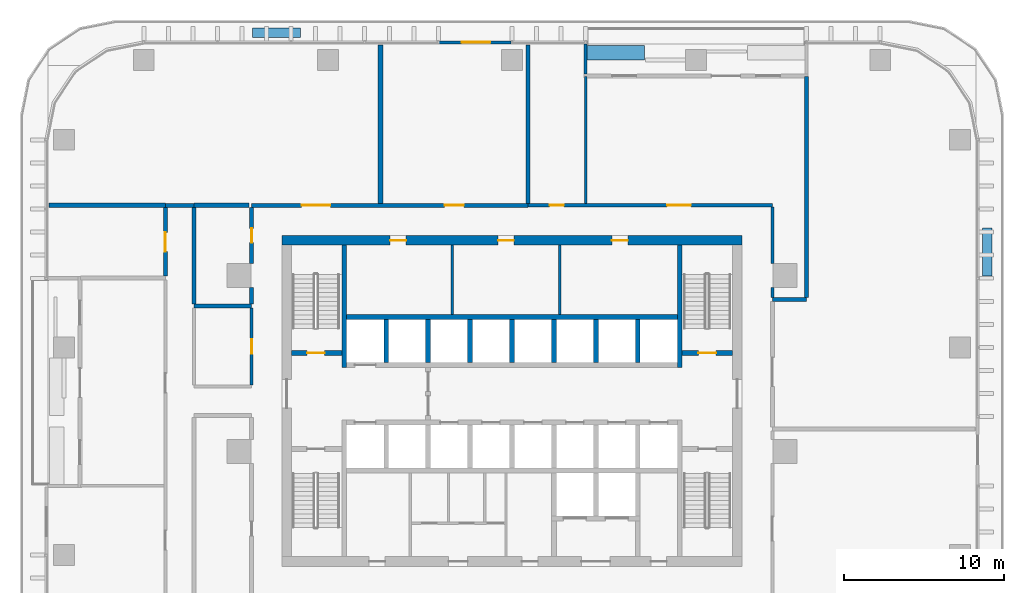
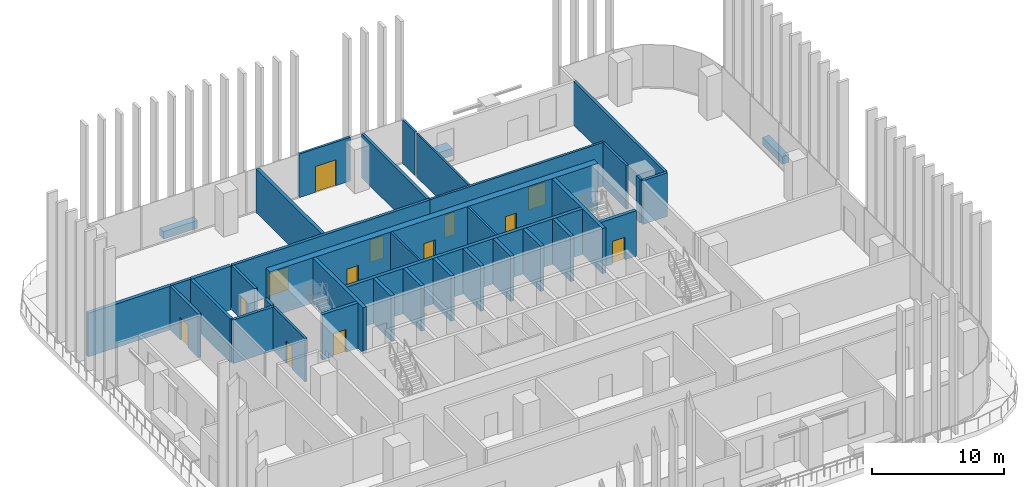
# One storey, part 10 of 18: 38 walls, 13 doors, 13 openings.
"""IFC4 building model written with IfcOpenShell, lengths in metres."""

from ifc_helpers import new_model, si_unit, direction, frame, frame_2d, origin, place, context, subcontext, project, spatial, rectangle, extrude, material, layer, layer_set, type_object, element, fill, save


model = new_model("IFC4")

# Units and contexts
model_context = context("Model", 3, precision=1e-05, world=origin(), true_north=direction((0.0, 1.0)))
body_context = subcontext(model_context, "Body", "Model", "MODEL_VIEW")
ifc_project = project(units=[si_unit("LENGTHUNIT", "METRE"), si_unit("AREAUNIT", "SQUARE_METRE"), si_unit("VOLUMEUNIT", "CUBIC_METRE"), si_unit("PLANEANGLEUNIT", "RADIAN"), si_unit("MASSUNIT", "GRAM", prefix="KILO")], contexts=[model_context])

# Site, building, storey
site_placement = place(None, origin())
site = spatial("IfcSite", under=ifc_project, at=site_placement, CompositionType="ELEMENT")
building_placement = place(site_placement, origin())
building = spatial("IfcBuilding", under=site, at=building_placement, Name="Mopane Tessera Tower", CompositionType="ELEMENT")
storey_placement = place(building_placement, frame((0.0, 0.0, 94.60009765625)))
storey = spatial("IfcBuildingStorey", under=building, at=storey_placement, Name="L18", CompositionType="ELEMENT", Elevation=94.60009765625)

# Walls
ifc_material_1 = material(Name="Fire-rated gypsum board partition")
ifc_layer_1 = layer(ifc_material_1, 0.14990234375)
ifc_layer_set_1 = layer_set([ifc_layer_1], Name="Fire-rated gypsum board partition")
wall_type_1 = type_object("IfcWallType", Name="Core room partition 150 mm", PredefinedType="PARTITIONING", material=ifc_layer_set_1)
for number, where, z_axis, x_axis, name in (
    (1, (-3.75, 8.550048828125, 0.0), (0.0, 0.0, 1.0), (0.0, 1.0, 0.0), "L18 Room partition"),
    (2, (3.0, 8.550048828125, 0.0), (0.0, 0.0, 1.0), (0.0, 1.0, 0.0), "L18 Room partition"),
):
    element("IfcWall", number, at=place(storey_placement, frame(where, z_axis=z_axis, x_axis=x_axis)), inside=storey, type_object=wall_type_1, Name=name, PredefinedType="PARTITIONING", context=body_context, shape_type="SweptSolid", body=[
        extrude(rectangle(XDim=4.349853515625, YDim=0.14990234375, at=frame_2d((2.1748046875, 0.0))), origin(), (0.0, 0.0, 1.0), 4.199951171875),
    ])

# Wall, openings, doors
ifc_material_2 = material(Name="Concrete C70/85", Category="concrete")
ifc_layer_2 = layer(ifc_material_2, 0.60009765625)
ifc_layer_set_2 = layer_set([ifc_layer_2], Name="Concrete C70/85")
wall_type_2 = type_object("IfcWallType", Name="Core shear wall 600 mm", PredefinedType="SHEAR", material=ifc_layer_set_2)
wall_1_placement = place(storey_placement, frame((-14.39990234375, 13.199951171875, 0.0), z_axis=(0.0, 0.0, 1.0), x_axis=(1.0, 0.0, 0.0)))
wall_1 = element("IfcWall", 3, at=wall_1_placement, inside=storey, type_object=wall_type_2, Name="L18 Core wall north", PredefinedType="SHEAR", context=body_context, shape_type="SweptSolid", body=[
    extrude(rectangle(XDim=28.7998046875, YDim=0.60009765625, at=frame_2d((14.39990234375, 0.0))), origin(), (0.0, 0.0, 1.0), 4.199951171875),
])
opening_1_placement = place(wall_1_placement, frame((6.77490234375, 0.0, 0.0)))
opening_1 = element("IfcOpeningElement", 4, at=opening_1_placement, cuts=wall_1, Name="Opening RD1", PredefinedType="OPENING", context=body_context, shape_type="SweptSolid", body=[
    extrude(rectangle(XDim=1.0, YDim=2.10009765625, at=frame_2d((0.5, 1.050048828125))), frame((0.0, 0.31201171875, 0.0), z_axis=(0.0, -1.0, 0.0), x_axis=(1.0, 0.0, 0.0)), (0.0, 0.0, 1.0), 0.6240234375),
])
opening_2_placement = place(wall_1_placement, frame((13.52490234375, 0.0, 0.0)))
opening_2 = element("IfcOpeningElement", 5, at=opening_2_placement, cuts=wall_1, Name="Opening RD1", PredefinedType="OPENING", context=body_context, shape_type="SweptSolid", body=[
    extrude(rectangle(XDim=1.0, YDim=2.10009765625, at=frame_2d((0.5, 1.050048828125))), frame((0.0, 0.31201171875, 0.0), z_axis=(0.0, -1.0, 0.0), x_axis=(1.0, 0.0, 0.0)), (0.0, 0.0, 1.0), 0.6240234375),
])
opening_3_placement = place(wall_1_placement, frame((20.64990234375, 0.0, 0.0)))
opening_3 = element("IfcOpeningElement", 6, at=opening_3_placement, cuts=wall_1, Name="Opening RD1", PredefinedType="OPENING", context=body_context, shape_type="SweptSolid", body=[
    extrude(rectangle(XDim=1.0, YDim=2.10009765625, at=frame_2d((0.5, 1.050048828125))), frame((0.0, 0.31201171875, 0.0), z_axis=(0.0, -1.0, 0.0), x_axis=(1.0, 0.0, 0.0)), (0.0, 0.0, 1.0), 0.6240234375),
])
ifc_material_3 = material(Name="Timber door", Category="wood")
door_type_1 = type_object("IfcDoorType", Name="Core room door 1000 x 2100", OperationType="SINGLE_SWING_LEFT", PredefinedType="DOOR", material=ifc_material_3)
door_1_placement = place(opening_1_placement, origin())
door_1 = element("IfcDoor", 7, at=door_1_placement, inside=storey, type_object=door_type_1, Name="L18 Room door", OperationType="SINGLE_SWING_LEFT", OverallHeight=2.10009765625, OverallWidth=1.0, PredefinedType="DOOR", context=body_context, shape_type="SweptSolid", body=[
    extrude(rectangle(XDim=1.0, YDim=2.10009765625, at=frame_2d((0.5, 1.050048828125))), frame((0.0, 0.02490234375, 0.0), z_axis=(0.0, -1.0, 0.0), x_axis=(1.0, 0.0, 0.0)), (0.0, 0.0, 1.0), 0.050048828125),
])
fill(opening_1, door_1)
door_2_placement = place(opening_2_placement, origin())
door_2 = element("IfcDoor", 8, at=door_2_placement, inside=storey, type_object=door_type_1, Name="L18 Room door", OperationType="SINGLE_SWING_LEFT", OverallHeight=2.10009765625, OverallWidth=1.0, PredefinedType="DOOR", context=body_context, shape_type="SweptSolid", body=[
    extrude(rectangle(XDim=1.0, YDim=2.10009765625, at=frame_2d((0.5, 1.050048828125))), frame((0.0, 0.02490234375, 0.0), z_axis=(0.0, -1.0, 0.0), x_axis=(1.0, 0.0, 0.0)), (0.0, 0.0, 1.0), 0.050048828125),
])
fill(opening_2, door_2)
door_3_placement = place(opening_3_placement, origin())
door_3 = element("IfcDoor", 9, at=door_3_placement, inside=storey, type_object=door_type_1, Name="L18 Room door", OperationType="SINGLE_SWING_LEFT", OverallHeight=2.10009765625, OverallWidth=1.0, PredefinedType="DOOR", context=body_context, shape_type="SweptSolid", body=[
    extrude(rectangle(XDim=1.0, YDim=2.10009765625, at=frame_2d((0.5, 1.050048828125))), frame((0.0, 0.02490234375, 0.0), z_axis=(0.0, -1.0, 0.0), x_axis=(1.0, 0.0, 0.0)), (0.0, 0.0, 1.0), 0.050048828125),
])
fill(opening_3, door_3)

# Walls
ifc_material_4 = material(Name="Concrete C60/75", Category="concrete")
ifc_layer_3 = layer(ifc_material_4, 0.300048828125)
ifc_layer_set_3 = layer_set([ifc_layer_3], Name="Concrete C60/75")
wall_type_3 = type_object("IfcWallType", Name="Core spine wall 300 mm", PredefinedType="SHEAR", material=ifc_layer_set_3)
for number, where, z_axis, x_axis, name in (
    (10, (-10.5, 5.25, 0.0), (0.0, 0.0, 1.0), (0.0, 1.0, 0.0), "L18 Core spine wall"),
    (11, (10.5, 5.25, 0.0), (0.0, 0.0, 1.0), (0.0, 1.0, 0.0), "L18 Core spine wall"),
):
    element("IfcWall", number, at=place(storey_placement, frame(where, z_axis=z_axis, x_axis=x_axis)), inside=storey, type_object=wall_type_3, Name=name, PredefinedType="SHEAR", context=body_context, shape_type="SweptSolid", body=[
        extrude(rectangle(XDim=7.64990234375, YDim=0.300048828125, at=frame_2d((3.824951171875, 0.0))), origin(), (0.0, 0.0, 1.0), 4.199951171875),
    ])

# Wall, openings, doors
ifc_material_5 = material(Name="Gypsum board on steel studs, two layers each face, mineral wool infill", Category="steel")
ifc_layer_4 = layer(ifc_material_5, 0.199951171875)
ifc_layer_set_4 = layer_set([ifc_layer_4], Name="Gypsum board on steel studs, two layers each face, mineral wool infill")
wall_type_4 = type_object("IfcWallType", Name="Gypsum board corridor wall 200, rated EI 60", PredefinedType="PARTITIONING", material=ifc_layer_set_4)
wall_2_placement = place(storey_placement, frame((1.0, 15.39990234375, 0.0), z_axis=(0.0, 0.0, 1.0), x_axis=(1.0, 0.0, 0.0)))
wall_2 = element("IfcWall", 12, at=wall_2_placement, inside=storey, type_object=wall_type_4, Name="Partition L18:019", PredefinedType="PARTITIONING", context=body_context, shape_type="SweptSolid", body=[
    extrude(rectangle(XDim=15.300048828125, YDim=0.199951171875, at=frame_2d((7.64990234375, 0.0))), origin(), (0.0, 0.0, 1.0), 4.0498046875),
])
opening_4_placement = place(wall_2_placement, frame((1.35498046875, 0.0, 0.0)))
opening_4 = element("IfcOpeningElement", 13, at=opening_4_placement, cuts=wall_2, Name="Opening L18-12", PredefinedType="OPENING", context=body_context, shape_type="SweptSolid", body=[
    extrude(rectangle(XDim=0.89990234375, YDim=2.10009765625, at=frame_2d((0.449951171875, 1.050048828125))), frame((0.0, 0.112060546875, 0.0), z_axis=(0.0, -1.0, 0.0), x_axis=(1.0, 0.0, 0.0)), (0.0, 0.0, 1.0), 0.223876953125),
])
opening_5_placement = place(wall_2_placement, frame((8.705078125, 0.0, 0.0)))
opening_5 = element("IfcOpeningElement", 14, at=opening_5_placement, cuts=wall_2, Name="Opening L18-17", PredefinedType="OPENING", context=body_context, shape_type="SweptSolid", body=[
    extrude(rectangle(XDim=1.5, YDim=2.10009765625, at=frame_2d((0.75, 1.050048828125))), frame((0.0, 0.112060546875, 0.0), z_axis=(0.0, -1.0, 0.0), x_axis=(1.0, 0.0, 0.0)), (0.0, 0.0, 1.0), 0.223876953125),
])
ifc_material_6 = material(Name="Timber veneered steel-framed fire door", Category="steel")
door_type_2 = type_object("IfcDoorType", Name="Fire door FD60 900 x 2100", OperationType="SINGLE_SWING_LEFT", PredefinedType="DOOR", material=ifc_material_6)
door_4_placement = place(opening_4_placement, origin())
door_4 = element("IfcDoor", 15, at=door_4_placement, inside=storey, type_object=door_type_2, Name="Door L18-12", ObjectType="D10A", OperationType="SINGLE_SWING_LEFT", OverallHeight=2.10009765625, OverallWidth=0.89990234375, PredefinedType="DOOR", context=body_context, shape_type="SweptSolid", body=[
    extrude(rectangle(XDim=0.89990234375, YDim=2.10009765625, at=frame_2d((0.449951171875, 1.050048828125))), frame((0.0, 0.02490234375, 0.0), z_axis=(0.0, -1.0, 0.0), x_axis=(1.0, 0.0, 0.0)), (0.0, 0.0, 1.0), 0.050048828125),
])
fill(opening_4, door_4)
ifc_material_7 = material(Name="Timber veneered steel-framed fire door", Category="steel")
door_type_3 = type_object("IfcDoorType", Name="Fire door pair FD60 1500 x 2100", OperationType="DOUBLE_DOOR_SINGLE_SWING", PredefinedType="DOOR", material=ifc_material_7)
door_5_placement = place(opening_5_placement, origin())
door_5 = element("IfcDoor", 16, at=door_5_placement, inside=storey, type_object=door_type_3, Name="Door L18-17", ObjectType="D17A", OperationType="DOUBLE_DOOR_SINGLE_SWING", OverallHeight=2.10009765625, OverallWidth=1.5, PredefinedType="DOOR", context=body_context, shape_type="SweptSolid", body=[
    extrude(rectangle(XDim=1.5, YDim=2.10009765625, at=frame_2d((0.75, 1.050048828125))), frame((0.0, 0.02490234375, 0.0), z_axis=(0.0, -1.0, 0.0), x_axis=(1.0, 0.0, 0.0)), (0.0, 0.0, 1.0), 0.050048828125),
])
fill(opening_5, door_5)

# Wall, opening, door
wall_3_placement = place(storey_placement, frame((-16.300048828125, 4.14990234375, 0.0), z_axis=(0.0, 0.0, 1.0), x_axis=(0.0, 1.0, 0.0)))
wall_3 = element("IfcWall", 17, at=wall_3_placement, inside=storey, type_object=wall_type_4, Name="Partition L18:029", PredefinedType="PARTITIONING", context=body_context, shape_type="SweptSolid", body=[
    extrude(rectangle(XDim=4.81005859375, YDim=0.199951171875, at=frame_2d((2.405029296875, 0.0))), origin(), (0.0, 0.0, 1.0), 4.0498046875),
])
opening_6_placement = place(wall_3_placement, frame((1.955078125, 0.0, 0.0)))
opening_6 = element("IfcOpeningElement", 18, at=opening_6_placement, cuts=wall_3, Name="Opening L18-08", PredefinedType="OPENING", context=body_context, shape_type="SweptSolid", body=[
    extrude(rectangle(XDim=0.89990234375, YDim=2.10009765625, at=frame_2d((0.449951171875, 1.050048828125))), frame((0.0, 0.112060546875, 0.0), z_axis=(0.0, -1.0, 0.0), x_axis=(1.0, 0.0, 0.0)), (0.0, 0.0, 1.0), 0.223876953125),
])
door_6_placement = place(opening_6_placement, origin())
door_6 = element("IfcDoor", 19, at=door_6_placement, inside=storey, type_object=door_type_2, Name="Door L18-08", ObjectType="D10A", OperationType="SINGLE_SWING_LEFT", OverallHeight=2.10009765625, OverallWidth=0.89990234375, PredefinedType="DOOR", context=body_context, shape_type="SweptSolid", body=[
    extrude(rectangle(XDim=0.89990234375, YDim=2.10009765625, at=frame_2d((0.449951171875, 1.050048828125))), frame((0.0, 0.02490234375, 0.0), z_axis=(0.0, -1.0, 0.0), x_axis=(1.0, 0.0, 0.0)), (0.0, 0.0, 1.0), 0.050048828125),
])
fill(opening_6, door_6)

# Walls
wall_4_placement = place(storey_placement, frame((16.300048828125, 9.625, 0.0), z_axis=(0.0, 0.0, 1.0), x_axis=(0.0, 1.0, 0.0)))
element("IfcWall", 20, at=wall_4_placement, inside=storey, type_object=wall_type_4, Name="Partition L18:045", PredefinedType="PARTITIONING", context=body_context, shape_type="SweptSolid", body=[
    extrude(rectangle(XDim=0.625, YDim=0.199951171875, at=frame_2d((0.3125, 0.0))), origin(), (0.0, 0.0, 1.0), 4.0498046875),
])
wall_5_placement = place(storey_placement, frame((16.300048828125, 11.75, 0.0), z_axis=(0.0, 0.0, 1.0), x_axis=(0.0, 1.0, 0.0)))
element("IfcWall", 21, at=wall_5_placement, inside=storey, type_object=wall_type_4, Name="Partition L18:046", PredefinedType="PARTITIONING", context=body_context, shape_type="SweptSolid", body=[
    extrude(rectangle(XDim=3.550048828125, YDim=0.199951171875, at=frame_2d((1.77490234375, 0.0))), origin(), (0.0, 0.0, 1.0), 4.0498046875),
])
ifc_material_8 = material(Name="Gypsum board on steel studs, mineral wool infill", Category="steel")
ifc_layer_5 = layer(ifc_material_8, 0.14990234375)
ifc_layer_set_5 = layer_set([ifc_layer_5], Name="Gypsum board on steel studs, mineral wool infill")
wall_type_5 = type_object("IfcWallType", Name="Gypsum board partition 150, rated EI 60", PredefinedType="PARTITIONING", material=ifc_layer_set_5)
wall_6_placement = place(storey_placement, frame((4.610107421875, 15.5, 0.0), z_axis=(0.0, 0.0, 1.0), x_axis=(0.0, 1.0, 0.0)))
element("IfcWall", 22, at=wall_6_placement, inside=storey, type_object=wall_type_5, Name="Partition L18:039", PredefinedType="PARTITIONING", context=body_context, shape_type="SweptSolid", body=[
    extrude(rectangle(XDim=7.949951171875, YDim=0.14990234375, at=frame_2d((3.97509765625, 0.0))), origin(), (0.0, 0.0, 1.0), 4.0498046875),
])

# Wall, opening, door
ifc_material_9 = material(Name="Concrete C50/60", Category="concrete")
ifc_layer_6 = layer(ifc_material_9, 0.300048828125)
ifc_layer_set_6 = layer_set([ifc_layer_6], Name="Concrete C50/60")
wall_type_6 = type_object("IfcWallType", Name="Lift and stair shaft wall 300 mm", PredefinedType="SOLIDWALL", material=ifc_layer_set_6)
wall_7_placement = place(storey_placement, frame((-13.800048828125, 6.14990234375, 0.0), z_axis=(0.0, 0.0, 1.0), x_axis=(1.0, 0.0, 0.0)))
wall_7 = element("IfcWall", 23, at=wall_7_placement, inside=storey, type_object=wall_type_6, Name="L18 Stair enclosure wall", PredefinedType="SOLIDWALL", context=body_context, shape_type="SweptSolid", body=[
    extrude(rectangle(XDim=3.150146484375, YDim=0.300048828125, at=frame_2d((1.5751953125, 0.0))), origin(), (0.0, 0.0, 1.0), 4.199951171875),
])
opening_7_placement = place(wall_7_placement, frame((0.97509765625, 0.0, 0.0)))
opening_7 = element("IfcOpeningElement", 24, at=opening_7_placement, cuts=wall_7, Name="Opening SD1", PredefinedType="OPENING", context=body_context, shape_type="SweptSolid", body=[
    extrude(rectangle(XDim=1.10009765625, YDim=2.10009765625, at=frame_2d((0.550048828125, 1.050048828125))), frame((0.0, 0.162109375, 0.0), z_axis=(0.0, -1.0, 0.0), x_axis=(1.0, 0.0, 0.0)), (0.0, 0.0, 1.0), 0.323974609375),
])
ifc_material_10 = material(Name="Steel fire door", Category="steel")
door_type_4 = type_object("IfcDoorType", Name="Stair fire door 1100 x 2100", OperationType="SINGLE_SWING_LEFT", PredefinedType="DOOR", material=ifc_material_10)
door_7_placement = place(opening_7_placement, origin())
door_7 = element("IfcDoor", 25, at=door_7_placement, inside=storey, type_object=door_type_4, Name="L18 Stair door ST2", OperationType="SINGLE_SWING_LEFT", OverallHeight=2.10009765625, OverallWidth=1.10009765625, PredefinedType="DOOR", context=body_context, shape_type="SweptSolid", body=[
    extrude(rectangle(XDim=1.10009765625, YDim=2.10009765625, at=frame_2d((0.550048828125, 1.050048828125))), frame((0.0, 0.02490234375, 0.0), z_axis=(0.0, -1.0, 0.0), x_axis=(1.0, 0.0, 0.0)), (0.0, 0.0, 1.0), 0.050048828125),
])
fill(opening_7, door_7)

wall_8_placement = place(storey_placement, frame((10.64990234375, 6.14990234375, 0.0), z_axis=(0.0, 0.0, 1.0), x_axis=(1.0, 0.0, 0.0)))
wall_8 = element("IfcWall", 26, at=wall_8_placement, inside=storey, type_object=wall_type_6, Name="L18 Stair enclosure wall", PredefinedType="SOLIDWALL", context=body_context, shape_type="SweptSolid", body=[
    extrude(rectangle(XDim=3.150146484375, YDim=0.300048828125, at=frame_2d((1.5751953125, 0.0))), origin(), (0.0, 0.0, 1.0), 4.199951171875),
])
opening_8_placement = place(wall_8_placement, frame((1.02490234375, 0.0, 0.0)))
opening_8 = element("IfcOpeningElement", 27, at=opening_8_placement, cuts=wall_8, Name="Opening SD1", PredefinedType="OPENING", context=body_context, shape_type="SweptSolid", body=[
    extrude(rectangle(XDim=1.10009765625, YDim=2.10009765625, at=frame_2d((0.550048828125, 1.050048828125))), frame((0.0, 0.162109375, 0.0), z_axis=(0.0, -1.0, 0.0), x_axis=(1.0, 0.0, 0.0)), (0.0, 0.0, 1.0), 0.323974609375),
])
door_8_placement = place(opening_8_placement, origin())
door_8 = element("IfcDoor", 28, at=door_8_placement, inside=storey, type_object=door_type_4, Name="L18 Stair door ST4", OperationType="SINGLE_SWING_RIGHT", OverallHeight=2.10009765625, OverallWidth=1.10009765625, PredefinedType="DOOR", context=body_context, shape_type="SweptSolid", body=[
    extrude(rectangle(XDim=1.10009765625, YDim=2.10009765625, at=frame_2d((0.550048828125, 1.050048828125))), frame((0.0, 0.02490234375, 0.0), z_axis=(0.0, -1.0, 0.0), x_axis=(1.0, 0.0, 0.0)), (0.0, 0.0, 1.0), 0.050048828125),
])
fill(opening_8, door_8)

# Walls
wall_9_placement = place(storey_placement, frame((-10.35009765625, 8.39990234375, 0.0), z_axis=(0.0, 0.0, 1.0), x_axis=(1.0, 0.0, 0.0)))
element("IfcWall", 29, at=wall_9_placement, inside=storey, type_object=wall_type_6, Name="L18 Lift shaft rear wall", PredefinedType="SOLIDWALL", context=body_context, shape_type="SweptSolid", body=[
    extrude(rectangle(XDim=20.7001953125, YDim=0.300048828125, at=frame_2d((10.35009765625, 0.0))), origin(), (0.0, 0.0, 1.0), 4.199951171875),
])
for number, where, z_axis, x_axis, name in (
    (30, (-7.875, 5.550048828125, 0.0), (0.0, 0.0, 1.0), (0.0, 1.0, 0.0), "L18 Lift shaft wall"),
    (31, (-5.25, 5.550048828125, 0.0), (0.0, 0.0, 1.0), (0.0, 1.0, 0.0), "L18 Lift shaft wall"),
    (32, (-2.625, 5.550048828125, 0.0), (0.0, 0.0, 1.0), (0.0, 1.0, 0.0), "L18 Lift shaft wall"),
    (33, (0.0, 5.550048828125, 0.0), (0.0, 0.0, 1.0), (0.0, 1.0, 0.0), "L18 Lift shaft wall"),
    (34, (2.625, 5.550048828125, 0.0), (0.0, 0.0, 1.0), (0.0, 1.0, 0.0), "L18 Lift shaft wall"),
    (35, (5.25, 5.550048828125, 0.0), (0.0, 0.0, 1.0), (0.0, 1.0, 0.0), "L18 Lift shaft wall"),
    (36, (7.875, 5.550048828125, 0.0), (0.0, 0.0, 1.0), (0.0, 1.0, 0.0), "L18 Lift shaft wall"),
):
    element("IfcWall", number, at=place(storey_placement, frame(where, z_axis=z_axis, x_axis=x_axis)), inside=storey, type_object=wall_type_6, Name=name, PredefinedType="SOLIDWALL", context=body_context, shape_type="SweptSolid", body=[
        extrude(rectangle(XDim=2.699951171875, YDim=0.300048828125, at=frame_2d((1.35009765625, 0.0))), origin(), (0.0, 0.0, 1.0), 4.199951171875),
    ])
ifc_material_11 = material(Name="Reinforced concrete C32/40 with waterproofing", Category="concrete")
ifc_layer_7 = layer(ifc_material_11, 0.60009765625)
ifc_layer_set_7 = layer_set([ifc_layer_7], Name="Reinforced concrete C32/40 with waterproofing")
wall_type_7 = type_object("IfcWallType", Name="Planter trough 3000 x 600", PredefinedType="STANDARD", material=ifc_layer_set_7)
for number, where, z_axis, x_axis, name in (
    (37, (29.75, 10.97998046875, 0.0), (0.0, 0.0, 1.0), (0.0, 1.0, 0.0), "e:sp:L18:E1"),
    (38, (-13.251953125, 26.199951171875, 0.0), (0.0, 0.0, 1.0), (-1.0, 0.0, 0.0), "e:sp:L18:N1"),
):
    element("IfcWall", number, at=place(storey_placement, frame(where, z_axis=z_axis, x_axis=x_axis)), inside=storey, type_object=wall_type_7, Name=name, PredefinedType="STANDARD", context=body_context, shape_type="SweptSolid", body=[
        extrude(rectangle(XDim=3.0, YDim=0.60009765625, at=frame_2d((1.5, 0.0))), origin(), (0.0, 0.0, 1.0), 0.699951171875),
    ])
ifc_material_12 = material(Name="Reinforced concrete C32/40 with waterproofing", Category="concrete")
ifc_layer_8 = layer(ifc_material_12, 0.89990234375)
ifc_layer_set_8 = layer_set([ifc_layer_8], Name="Reinforced concrete C32/40 with waterproofing")
wall_type_8 = type_object("IfcWallType", Name="Planter trough 3600 x 900", PredefinedType="STANDARD", material=ifc_layer_set_8)
wall_10_placement = place(storey_placement, frame((8.31005859375, 24.949951171875, 0.0), z_axis=(0.0, 0.0, 1.0), x_axis=(-1.0, 0.0, 0.0)))
element("IfcWall", 39, at=wall_10_placement, inside=storey, type_object=wall_type_8, Name="e:nw:L18:N1:pl1", PredefinedType="STANDARD", context=body_context, shape_type="SweptSolid", body=[
    extrude(rectangle(XDim=3.60009765625, YDim=0.89990234375, at=frame_2d((1.800048828125, 0.0))), origin(), (0.0, 0.0, 1.0), 0.699951171875),
])
ifc_material_13 = material(Name="Plastered concrete blockwork C20/25", Category="masonry")
ifc_layer_9 = layer(ifc_material_13, 0.300048828125)
ifc_layer_set_9 = layer_set([ifc_layer_9], Name="Plastered concrete blockwork C20/25")
wall_type_9 = type_object("IfcWallType", Name="Plastered blockwork separation wall 300, rated EI 120", PredefinedType="PARTITIONING", material=ifc_layer_set_9)
wall_11_placement = place(storey_placement, frame((-29.0, 15.39990234375, 0.0), z_axis=(0.0, 0.0, 1.0), x_axis=(1.0, 0.0, 0.0)))
element("IfcWall", 40, at=wall_11_placement, inside=storey, type_object=wall_type_9, Name="Partition L18:022", PredefinedType="PARTITIONING", context=body_context, shape_type="SweptSolid", body=[
    extrude(rectangle(XDim=7.300048828125, YDim=0.300048828125, at=frame_2d((3.64990234375, 0.0))), origin(), (0.0, 0.0, 1.0), 4.0498046875),
])
wall_12_placement = place(storey_placement, frame((-19.89990234375, 15.39990234375, 0.0), z_axis=(0.0, 0.0, 1.0), x_axis=(1.0, 0.0, 0.0)))
element("IfcWall", 41, at=wall_12_placement, inside=storey, type_object=wall_type_9, Name="Partition L18:023", PredefinedType="PARTITIONING", context=body_context, shape_type="SweptSolid", body=[
    extrude(rectangle(XDim=3.44482421875, YDim=0.300048828125, at=frame_2d((1.722412109375, 0.0))), origin(), (0.0, 0.0, 1.0), 4.0498046875),
])
wall_13_placement = place(storey_placement, frame((-8.22998046875, 15.52490234375, 0.0), z_axis=(0.0, 0.0, 1.0), x_axis=(0.0, 1.0, 0.0)))
element("IfcWall", 42, at=wall_13_placement, inside=storey, type_object=wall_type_9, Name="Partition L18:036", PredefinedType="PARTITIONING", context=body_context, shape_type="SweptSolid", body=[
    extrude(rectangle(XDim=9.925048828125, YDim=0.300048828125, at=frame_2d((4.96240234375, 0.0))), origin(), (0.0, 0.0, 1.0), 4.0498046875),
])
ifc_material_14 = material(Name="Plastered concrete blockwork C20/25", Category="masonry")
ifc_layer_10 = layer(ifc_material_14, 0.25)
ifc_layer_set_10 = layer_set([ifc_layer_10], Name="Plastered concrete blockwork C20/25")
wall_type_10 = type_object("IfcWallType", Name="Plastered blockwork wall 250, rated EI 120", PredefinedType="PARTITIONING", material=ifc_layer_set_10)
wall_14_placement = place(storey_placement, frame((-19.89990234375, 9.0849609375, 0.0), z_axis=(0.0, 0.0, 1.0), x_axis=(1.0, 0.0, 0.0)))
element("IfcWall", 43, at=wall_14_placement, inside=storey, type_object=wall_type_10, Name="Partition L18:016", PredefinedType="PARTITIONING", context=body_context, shape_type="SweptSolid", body=[
    extrude(rectangle(XDim=3.599853515625, YDim=0.25, at=frame_2d((1.7998046875, 0.0))), origin(), (0.0, 0.0, 1.0), 4.0498046875),
])
wall_15_placement = place(storey_placement, frame((16.300048828125, 9.5, 0.0), z_axis=(0.0, 0.0, 1.0), x_axis=(1.0, 0.0, 0.0)))
element("IfcWall", 44, at=wall_15_placement, inside=storey, type_object=wall_type_10, Name="Partition L18:017", PredefinedType="PARTITIONING", context=body_context, shape_type="SweptSolid", body=[
    extrude(rectangle(XDim=2.139892578125, YDim=0.25, at=frame_2d((1.06982421875, 0.0))), origin(), (0.0, 0.0, 1.0), 4.0498046875),
])
wall_16_placement = place(storey_placement, frame((-21.699951171875, 15.39990234375, 0.0), z_axis=(0.0, 0.0, 1.0), x_axis=(1.0, 0.0, 0.0)))
element("IfcWall", 45, at=wall_16_placement, inside=storey, type_object=wall_type_10, Name="Partition L18:020", PredefinedType="PARTITIONING", context=body_context, shape_type="SweptSolid", body=[
    extrude(rectangle(XDim=1.800048828125, YDim=0.25, at=frame_2d((0.89990234375, 0.0))), origin(), (0.0, 0.0, 1.0), 4.0498046875),
])

# Wall, openings, doors
wall_17_placement = place(storey_placement, frame((-16.300048828125, 15.39990234375, 0.0), z_axis=(0.0, 0.0, 1.0), x_axis=(1.0, 0.0, 0.0)))
wall_17 = element("IfcWall", 46, at=wall_17_placement, inside=storey, type_object=wall_type_10, Name="Partition L18:021", PredefinedType="PARTITIONING", context=body_context, shape_type="SweptSolid", body=[
    extrude(rectangle(XDim=17.300048828125, YDim=0.25, at=frame_2d((8.64990234375, 0.0))), origin(), (0.0, 0.0, 1.0), 4.0498046875),
])
opening_9_placement = place(wall_17_placement, frame((12.0849609375, 0.0, 0.0)))
opening_9 = element("IfcOpeningElement", 47, at=opening_9_placement, cuts=wall_17, Name="Opening L18-05", PredefinedType="OPENING", context=body_context, shape_type="SweptSolid", body=[
    extrude(rectangle(XDim=1.199951171875, YDim=2.10009765625, at=frame_2d((0.60009765625, 1.050048828125))), frame((0.0, 0.136962890625, 0.0), z_axis=(0.0, -1.0, 0.0), x_axis=(1.0, 0.0, 0.0)), (0.0, 0.0, 1.0), 0.27392578125),
])
opening_10_placement = place(wall_17_placement, frame((3.135009765625, 0.0, 0.0)))
opening_10 = element("IfcOpeningElement", 48, at=opening_10_placement, cuts=wall_17, Name="Opening L18-10", PredefinedType="OPENING", context=body_context, shape_type="SweptSolid", body=[
    extrude(rectangle(XDim=1.800048828125, YDim=2.10009765625, at=frame_2d((0.89990234375, 1.050048828125))), frame((0.0, 0.136962890625, 0.0), z_axis=(0.0, -1.0, 0.0), x_axis=(1.0, 0.0, 0.0)), (0.0, 0.0, 1.0), 0.27392578125),
])
ifc_material_15 = material(Name="Timber veneered steel-framed fire door", Category="steel")
door_type_5 = type_object("IfcDoorType", Name="Fire door FD120 1200 x 2100", OperationType="SINGLE_SWING_LEFT", PredefinedType="DOOR", material=ifc_material_15)
door_9_placement = place(opening_9_placement, origin())
door_9 = element("IfcDoor", 49, at=door_9_placement, inside=storey, type_object=door_type_5, Name="Door L18-05", ObjectType="D15B", OperationType="SINGLE_SWING_LEFT", OverallHeight=2.10009765625, OverallWidth=1.199951171875, PredefinedType="DOOR", context=body_context, shape_type="SweptSolid", body=[
    extrude(rectangle(XDim=1.199951171875, YDim=2.10009765625, at=frame_2d((0.60009765625, 1.050048828125))), frame((0.0, 0.02490234375, 0.0), z_axis=(0.0, -1.0, 0.0), x_axis=(1.0, 0.0, 0.0)), (0.0, 0.0, 1.0), 0.050048828125),
])
fill(opening_9, door_9)
ifc_material_16 = material(Name="Timber veneered steel-framed fire door", Category="steel")
door_type_6 = type_object("IfcDoorType", Name="Fire door pair FD120 1800 x 2100", OperationType="DOUBLE_DOOR_SINGLE_SWING", PredefinedType="DOOR", material=ifc_material_16)
door_10_placement = place(opening_10_placement, origin())
door_10 = element("IfcDoor", 50, at=door_10_placement, inside=storey, type_object=door_type_6, Name="Door L18-10", ObjectType="D20B", OperationType="DOUBLE_DOOR_SINGLE_SWING", OverallHeight=2.10009765625, OverallWidth=1.800048828125, PredefinedType="DOOR", context=body_context, shape_type="SweptSolid", body=[
    extrude(rectangle(XDim=1.800048828125, YDim=2.10009765625, at=frame_2d((0.89990234375, 1.050048828125))), frame((0.0, 0.02490234375, 0.0), z_axis=(0.0, -1.0, 0.0), x_axis=(1.0, 0.0, 0.0)), (0.0, 0.0, 1.0), 0.050048828125),
])
fill(opening_10, door_10)

# Wall, opening, door
wall_18_placement = place(storey_placement, frame((-21.699951171875, 10.9599609375, 0.0), z_axis=(0.0, 0.0, 1.0), x_axis=(0.0, 1.0, 0.0)))
wall_18 = element("IfcWall", 51, at=wall_18_placement, inside=storey, type_object=wall_type_10, Name="Partition L18:025", PredefinedType="PARTITIONING", context=body_context, shape_type="SweptSolid", body=[
    extrude(rectangle(XDim=4.2900390625, YDim=0.25, at=frame_2d((2.14501953125, 0.0))), origin(), (0.0, 0.0, 1.0), 4.0498046875),
])
opening_11_placement = place(wall_18_placement, frame((1.544921875, 0.0, 0.0)))
opening_11 = element("IfcOpeningElement", 52, at=opening_11_placement, cuts=wall_18, Name="Opening L18-13", PredefinedType="OPENING", context=body_context, shape_type="SweptSolid", body=[
    extrude(rectangle(XDim=1.199951171875, YDim=2.10009765625, at=frame_2d((0.60009765625, 1.050048828125))), frame((0.0, 0.136962890625, 0.0), z_axis=(0.0, -1.0, 0.0), x_axis=(1.0, 0.0, 0.0)), (0.0, 0.0, 1.0), 0.27392578125),
])
door_11_placement = place(opening_11_placement, origin())
door_11 = element("IfcDoor", 53, at=door_11_placement, inside=storey, type_object=door_type_5, Name="Door L18-13", ObjectType="D15B", OperationType="SINGLE_SWING_LEFT", OverallHeight=2.10009765625, OverallWidth=1.199951171875, PredefinedType="DOOR", context=body_context, shape_type="SweptSolid", body=[
    extrude(rectangle(XDim=1.199951171875, YDim=2.10009765625, at=frame_2d((0.60009765625, 1.050048828125))), frame((0.0, 0.02490234375, 0.0), z_axis=(0.0, -1.0, 0.0), x_axis=(1.0, 0.0, 0.0)), (0.0, 0.0, 1.0), 0.050048828125),
])
fill(opening_11, door_11)

# Walls
wall_19_placement = place(storey_placement, frame((-19.89990234375, 9.2099609375, 0.0), z_axis=(0.0, 0.0, 1.0), x_axis=(0.0, 1.0, 0.0)))
element("IfcWall", 54, at=wall_19_placement, inside=storey, type_object=wall_type_10, Name="Partition L18:028", PredefinedType="PARTITIONING", context=body_context, shape_type="SweptSolid", body=[
    extrude(rectangle(XDim=6.0400390625, YDim=0.25, at=frame_2d((3.02001953125, 0.0))), origin(), (0.0, 0.0, 1.0), 4.0498046875),
])
wall_20_placement = place(storey_placement, frame((-16.300048828125, 9.2099609375, 0.0), z_axis=(0.0, 0.0, 1.0), x_axis=(0.0, 1.0, 0.0)))
element("IfcWall", 55, at=wall_20_placement, inside=storey, type_object=wall_type_10, Name="Partition L18:032", PredefinedType="PARTITIONING", context=body_context, shape_type="SweptSolid", body=[
    extrude(rectangle(XDim=1.0400390625, YDim=0.25, at=frame_2d((0.52001953125, 0.0))), origin(), (0.0, 0.0, 1.0), 4.0498046875),
])

# Wall, opening, door
wall_21_placement = place(storey_placement, frame((-16.300048828125, 11.75, 0.0), z_axis=(0.0, 0.0, 1.0), x_axis=(0.0, 1.0, 0.0)))
wall_21 = element("IfcWall", 56, at=wall_21_placement, inside=storey, type_object=wall_type_10, Name="Partition L18:033", PredefinedType="PARTITIONING", context=body_context, shape_type="SweptSolid", body=[
    extrude(rectangle(XDim=3.52490234375, YDim=0.25, at=frame_2d((1.762451171875, 0.0))), origin(), (0.0, 0.0, 1.0), 4.0498046875),
])
opening_12_placement = place(wall_21_placement, frame((1.3125, 0.0, 0.0)))
opening_12 = element("IfcOpeningElement", 57, at=opening_12_placement, cuts=wall_21, Name="Opening L18-01", PredefinedType="OPENING", context=body_context, shape_type="SweptSolid", body=[
    extrude(rectangle(XDim=0.89990234375, YDim=2.10009765625, at=frame_2d((0.449951171875, 1.050048828125))), frame((0.0, 0.136962890625, 0.0), z_axis=(0.0, -1.0, 0.0), x_axis=(1.0, 0.0, 0.0)), (0.0, 0.0, 1.0), 0.27392578125),
])
ifc_material_17 = material(Name="Timber veneered steel-framed fire door", Category="steel")
door_type_7 = type_object("IfcDoorType", Name="Fire door FD120 900 x 2100", OperationType="SINGLE_SWING_LEFT", PredefinedType="DOOR", material=ifc_material_17)
door_12_placement = place(opening_12_placement, origin())
door_12 = element("IfcDoor", 58, at=door_12_placement, inside=storey, type_object=door_type_7, Name="Door L18-01", ObjectType="D10B", OperationType="SINGLE_SWING_LEFT", OverallHeight=2.10009765625, OverallWidth=0.89990234375, PredefinedType="DOOR", context=body_context, shape_type="SweptSolid", body=[
    extrude(rectangle(XDim=0.89990234375, YDim=2.10009765625, at=frame_2d((0.449951171875, 1.050048828125))), frame((0.0, 0.02490234375, 0.0), z_axis=(0.0, -1.0, 0.0), x_axis=(1.0, 0.0, 0.0)), (0.0, 0.0, 1.0), 0.050048828125),
])
fill(opening_12, door_12)

# Walls
wall_22_placement = place(storey_placement, frame((1.0, 15.52490234375, 0.0), z_axis=(0.0, 0.0, 1.0), x_axis=(0.0, 1.0, 0.0)))
element("IfcWall", 59, at=wall_22_placement, inside=storey, type_object=wall_type_10, Name="Partition L18:038", PredefinedType="PARTITIONING", context=body_context, shape_type="SweptSolid", body=[
    extrude(rectangle(XDim=9.925048828125, YDim=0.25, at=frame_2d((4.96240234375, 0.0))), origin(), (0.0, 0.0, 1.0), 4.0498046875),
])
wall_23_placement = place(storey_placement, frame((18.43994140625, 9.625, 0.0), z_axis=(0.0, 0.0, 1.0), x_axis=(0.0, 1.0, 0.0)))
element("IfcWall", 60, at=wall_23_placement, inside=storey, type_object=wall_type_10, Name="Partition L18:049", PredefinedType="PARTITIONING", context=body_context, shape_type="SweptSolid", body=[
    extrude(rectangle(XDim=13.824951171875, YDim=0.25, at=frame_2d((6.91259765625, 0.0))), origin(), (0.0, 0.0, 1.0), 4.0498046875),
])
ifc_material_18 = material(Name="Blockwork with glazed tile facing", Category="masonry")
ifc_layer_11 = layer(ifc_material_18, 0.199951171875)
ifc_layer_set_11 = layer_set([ifc_layer_11], Name="Blockwork with glazed tile facing")
wall_type_11 = type_object("IfcWallType", Name="Terrace cheek wall 200", PredefinedType="STANDARD", material=ifc_layer_set_11)
wall_24_placement = place(storey_placement, frame((4.610107421875, 25.5, 0.0), z_axis=(0.0, 0.0, 1.0), x_axis=(0.0, -1.0, 0.0)))
element("IfcWall", 61, at=wall_24_placement, inside=storey, type_object=wall_type_11, Name="e:nw:L18:N1:cheekb", PredefinedType="STANDARD", context=body_context, shape_type="SweptSolid", body=[
    extrude(rectangle(XDim=1.875, YDim=0.199951171875, at=frame_2d((0.9375, 0.0))), origin(), (0.0, 0.0, 1.0), 4.0498046875),
])

# Wall, opening, door
ifc_material_19 = material(Name="Blockwork with glazed tile facing", Category="masonry")
ifc_layer_12 = layer(ifc_material_19, 0.199951171875)
ifc_layer_set_12 = layer_set([ifc_layer_12], Name="Blockwork with glazed tile facing")
wall_type_12 = type_object("IfcWallType", Name="Tile-clad portal wall 200", PredefinedType="STANDARD", material=ifc_layer_set_12)
wall_25_placement = place(storey_placement, frame((-0.054931640625, 25.60009765625, 0.0), z_axis=(0.0, 0.0, 1.0), x_axis=(-1.0, 0.0, 0.0)))
wall_25 = element("IfcWall", 62, at=wall_25_placement, inside=storey, type_object=wall_type_12, Name="e:pw:L18:N", PredefinedType="STANDARD", context=body_context, shape_type="SweptSolid", body=[
    extrude(rectangle(XDim=4.5, YDim=0.199951171875, at=frame_2d((2.25, 0.0))), origin(), (0.0, 0.0, 1.0), 4.0498046875),
])
opening_13_placement = place(wall_25_placement, frame((1.294921875, 0.0, 0.0)))
opening_13 = element("IfcOpeningElement", 63, at=opening_13_placement, cuts=wall_25, Name="Opening TD18N", PredefinedType="OPENING", context=body_context, shape_type="SweptSolid", body=[
    extrude(rectangle(XDim=1.800048828125, YDim=2.39990234375, at=frame_2d((0.89990234375, 1.199951171875))), frame((0.0, 0.112060546875, 0.0), z_axis=(0.0, -1.0, 0.0), x_axis=(1.0, 0.0, 0.0)), (0.0, 0.0, 1.0), 0.223876953125),
])
ifc_material_20 = material(Name="Aluminium and clear glass", Category="aluminium")
door_type_8 = type_object("IfcDoorType", Name="Terrace double door 1800 x 2400", OperationType="DOUBLE_DOOR_SINGLE_SWING", PredefinedType="DOOR", material=ifc_material_20)
door_13_placement = place(opening_13_placement, origin())
door_13 = element("IfcDoor", 64, at=door_13_placement, inside=storey, type_object=door_type_8, Name="e:pw:L18:N:door", ObjectType="D1", OperationType="DOUBLE_DOOR_SINGLE_SWING", OverallHeight=2.39990234375, OverallWidth=1.800048828125, PredefinedType="DOOR", context=body_context, shape_type="SweptSolid", body=[
    extrude(rectangle(XDim=1.800048828125, YDim=2.39990234375, at=frame_2d((0.89990234375, 1.199951171875))), frame((0.0, 0.02490234375, 0.0), z_axis=(0.0, -1.0, 0.0), x_axis=(1.0, 0.0, 0.0)), (0.0, 0.0, 1.0), 0.050048828125),
])
fill(opening_13, door_13)

save(model, "model.ifc")
